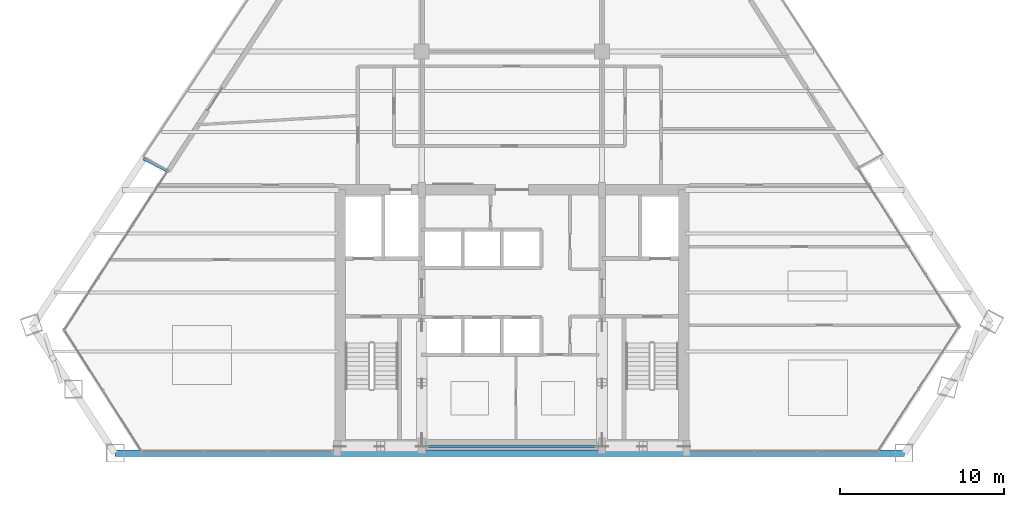
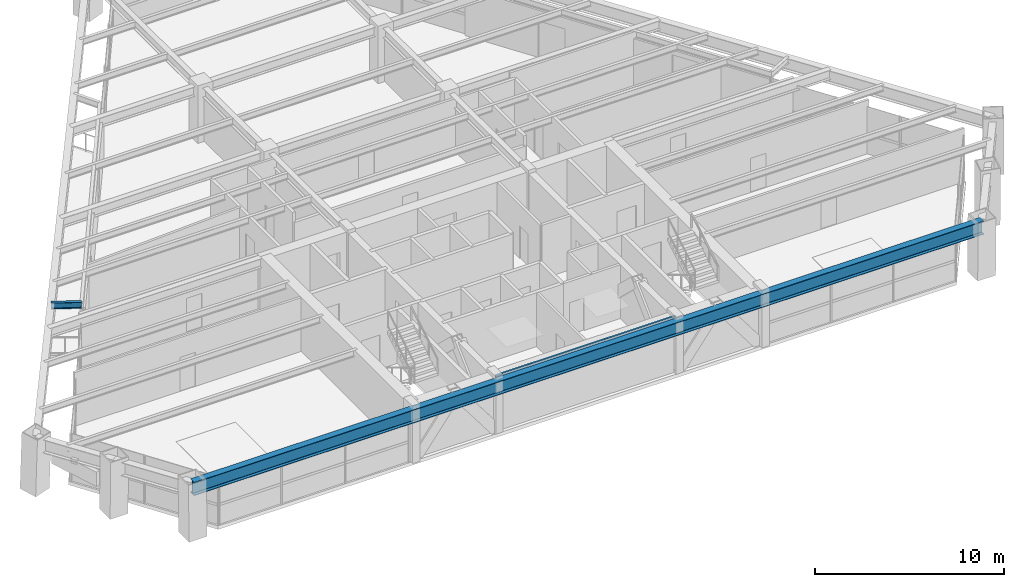
# One storey, part 3 of 15: 3 beams.
"""IFC4 building model written with IfcOpenShell, lengths in metres."""

from ifc_helpers import new_model, si_unit, direction, frame, origin, origin_2d, place, context, subcontext, project, spatial, i_section, extrude, source, transform, mapped, material, material_profile, profile_set, type_object, type_shapes, element, save


model = new_model("IFC4")

# Units and contexts
model_context = context("Model", 3, precision=1e-05, world=origin(), true_north=direction((0.0, 1.0)))
body_context = subcontext(model_context, "Body", "Model", "MODEL_VIEW")
ifc_project = project(units=[si_unit("LENGTHUNIT", "METRE"), si_unit("AREAUNIT", "SQUARE_METRE"), si_unit("VOLUMEUNIT", "CUBIC_METRE"), si_unit("PLANEANGLEUNIT", "RADIAN"), si_unit("MASSUNIT", "GRAM", prefix="KILO")], contexts=[model_context])

# Site, building, storey
site_placement = place(None, origin())
site = spatial("IfcSite", under=ifc_project, at=site_placement, CompositionType="ELEMENT")
building_placement = place(site_placement, origin())
building = spatial("IfcBuilding", under=site, at=building_placement, Name="Varnakhor Terracotta Tower", CompositionType="ELEMENT")
storey_placement = place(building_placement, frame((0.0, 0.0, 140.39990234375)))
storey = spatial("IfcBuildingStorey", under=building, at=storey_placement, Name="L35", CompositionType="ELEMENT", Elevation=140.39990234375)

# Beams
ifc_material = material(Name="Steel S355", Category="steel")
ifc_material_profile_1 = material_profile(ifc_material, i_section(OverallWidth=0.1201171875, OverallDepth=0.239990234375, WebThickness=0.006103515625, FlangeThickness=0.009765625, FilletRadius=0.01806640625, at=origin_2d()), Name="IPE240")
ifc_profile_set_1 = profile_set([ifc_material_profile_1], Name="Steel S355")
beam_type_1 = type_object("IfcBeamType", Name="LNT-IPE240", PredefinedType="LINTEL", material=ifc_profile_set_1)
shared_shape_1 = source(origin(), body_context, "Body", "SweptSolid", [
    extrude(i_section(OverallWidth=0.1201171875, OverallDepth=0.239990234375, WebThickness=0.006103515625, FlangeThickness=0.009765625, FilletRadius=0.01806640625, at=origin_2d()), origin(), (0.0, 0.0, 1.0), 11.0),
])
type_shapes(beam_type_1, [shared_shape_1])
beam_1_placement = place(storey_placement, frame((-5.5, 0.419921875, 3.35009765625), z_axis=(1.0, 0.0, 0.0), x_axis=(0.0, 1.0, 0.0)))
element("IfcBeam", 1, at=beam_1_placement, inside=storey, type_object=beam_type_1, Name="L35 Core South Coupling Lintel", PredefinedType="LINTEL", context=body_context, shape_type="MappedRepresentation", body=[
    mapped(shared_shape_1, transform((0.0, 0.0, 0.0), scale=1.0)),
])
ifc_material_profile_2 = material_profile(ifc_material, i_section(OverallWidth=0.39990234375, OverallDepth=0.85498046875, WebThickness=0.01806640625, FlangeThickness=0.029052734375, FilletRadius=0.01806640625, at=origin_2d()), Name="W33X201")
ifc_profile_set_2 = profile_set([ifc_material_profile_2], Name="Steel S355")
beam_type_2 = type_object("IfcBeamType", Name="BM-W33X201", PredefinedType="BEAM", material=ifc_profile_set_2)
shared_shape_2 = source(origin(), body_context, "Body", "SweptSolid", [
    extrude(i_section(OverallWidth=0.39990234375, OverallDepth=0.85498046875, WebThickness=0.01806640625, FlangeThickness=0.029052734375, FilletRadius=0.01806640625, at=origin_2d()), origin(), (0.0, 0.0, 1.0), 48.166015625),
])
beam_2_placement = place(storey_placement, frame((-24.220947265625, 0.0, 3.04248046875), z_axis=(1.0, 0.0, 0.0), x_axis=(0.0, 1.0, 0.0)))
element("IfcBeam", 2, at=beam_2_placement, inside=storey, type_object=beam_type_2, Name="L35 Perimeter Spandrel 1", PredefinedType="BEAM", context=body_context, shape_type="MappedRepresentation", body=[
    mapped(shared_shape_2, transform((0.0, 0.0, 0.0), scale=1.0)),
])
ifc_material_profile_3 = material_profile(ifc_material, i_section(OverallWidth=0.179931640625, OverallDepth=0.39990234375, WebThickness=0.008544921875, FlangeThickness=0.013427734375, FilletRadius=0.01806640625, at=origin_2d()), Name="IPE400")
ifc_profile_set_3 = profile_set([ifc_material_profile_3], Name="Steel S355")
beam_type_3 = type_object("IfcBeamType", Name="JST-IPE400", PredefinedType="JOIST", material=ifc_profile_set_3)
shared_shape_3 = source(origin(), body_context, "Body", "SweptSolid", [
    extrude(i_section(OverallWidth=0.179931640625, OverallDepth=0.39990234375, WebThickness=0.008544921875, FlangeThickness=0.013427734375, FilletRadius=0.01806640625, at=origin_2d()), origin(), (0.0, 0.0, 1.0), 1.621826171875),
])
beam_3_placement = place(storey_placement, frame((-21.018798828125, 17.227783203125, 3.27001953125), z_axis=(-0.889988236287, 0.455983485743, 0.0), x_axis=(-0.455983485743, -0.889988236287, 0.0)))
element("IfcBeam", 3, at=beam_3_placement, inside=storey, type_object=beam_type_3, Name="L36 W Loggia Tie Beam 1", PredefinedType="JOIST", context=body_context, shape_type="MappedRepresentation", body=[
    mapped(shared_shape_3, transform((0.0, 0.0, 0.0), scale=1.0)),
])

save(model, "model.ifc")
